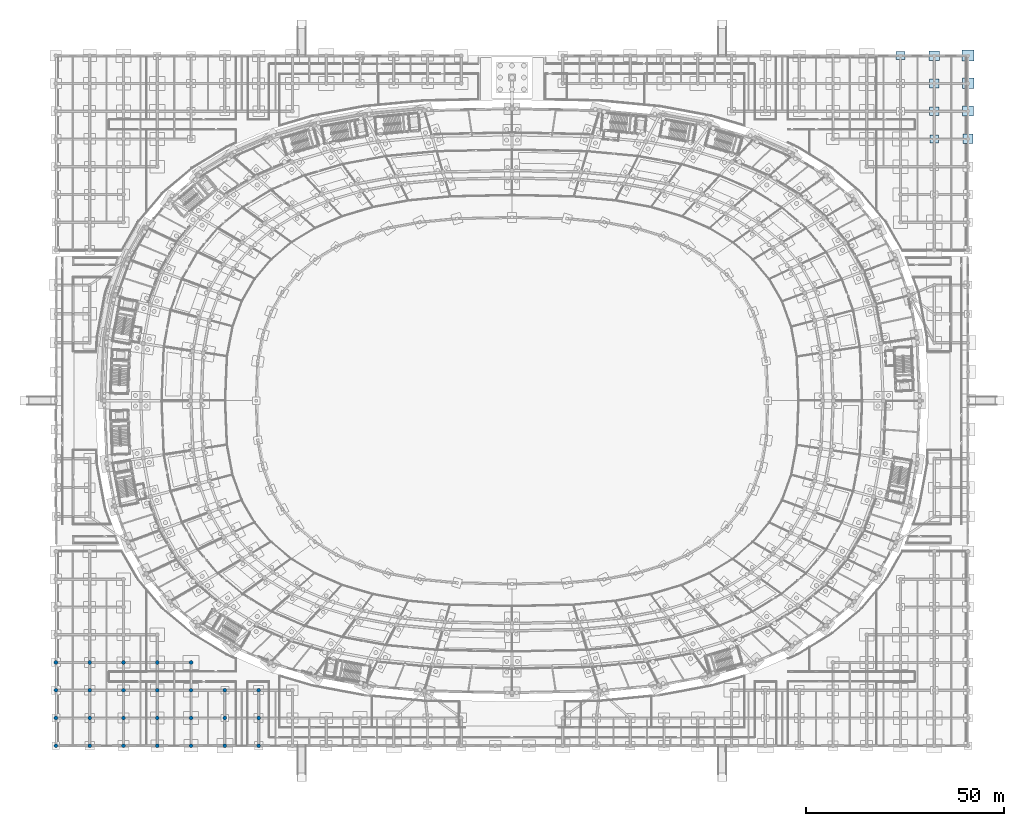
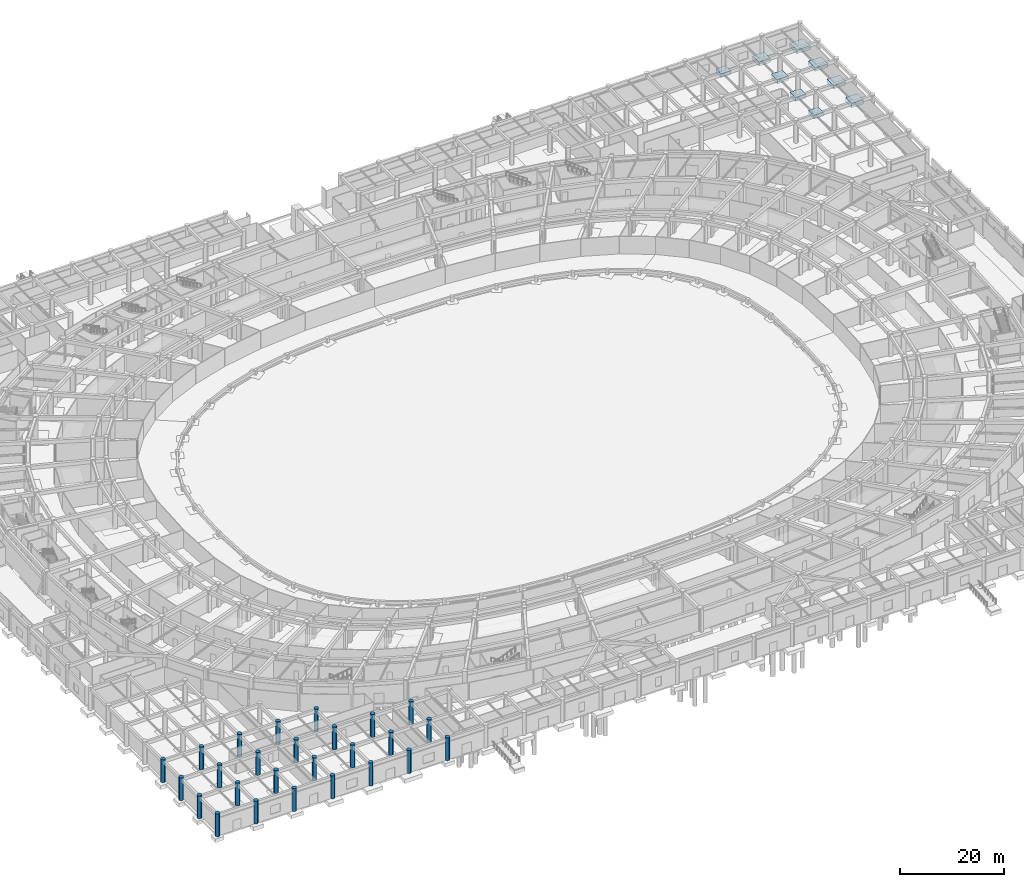
# One storey, part 14 of 88: 26 columns, 9 footings.
"""IFC4 building model written with IfcOpenShell, lengths in metres."""

from ifc_helpers import new_model, si_unit, direction, frame, origin, origin_2d, place, context, subcontext, project, spatial, rectangle, circle, extrude, material, material_profile, profile_set, type_object, element, save


model = new_model("IFC4")

# Units and contexts
model_context = context("Model", 3, precision=1e-05, world=origin(), true_north=direction((0.0, 1.0)))
body_context = subcontext(model_context, "Body", "Model", "MODEL_VIEW")
ifc_project = project(units=[si_unit("LENGTHUNIT", "METRE"), si_unit("AREAUNIT", "SQUARE_METRE"), si_unit("VOLUMEUNIT", "CUBIC_METRE"), si_unit("PLANEANGLEUNIT", "RADIAN"), si_unit("MASSUNIT", "GRAM", prefix="KILO")], contexts=[model_context])

# Site, building, storey
site_placement = place(None, origin())
site = spatial("IfcSite", under=ifc_project, at=site_placement, CompositionType="ELEMENT")
building_placement = place(site_placement, origin())
building = spatial("IfcBuilding", under=site, at=building_placement, Name="Mphavela Belvedere Stadium", CompositionType="ELEMENT")
storey_placement = place(building_placement, origin())
storey = spatial("IfcBuildingStorey", under=building, at=storey_placement, Name="L00", CompositionType="ELEMENT", Elevation=0.0)

# Footings
ifc_material_1 = material(Name="Concrete C35/45", Category="concrete")
footing_type_1 = type_object("IfcFootingType", Name="FTG-PAD-03", PredefinedType="PAD_FOOTING", material=ifc_material_1)
for number, where, z_axis, x_axis, name in (
    (1, (212.962890625, 174.0, -0.8798828125), (0.0, 0.0, 1.0), (1.0, 0.0, 0.0), "North Mast and Ceremonial End Forecourt pad footing 26-8"),
    (2, (221.48095703125, 153.0, -0.8798828125), (0.0, 0.0, 1.0), (1.0, 0.0, 0.0), "North Mast and Ceremonial End Forecourt pad footing 27-5"),
):
    element("IfcFooting", number, at=place(storey_placement, frame(where, z_axis=z_axis, x_axis=x_axis)), inside=storey, type_object=footing_type_1, Name=name, PredefinedType="PAD_FOOTING", context=body_context, shape_type="SweptSolid", body=[
        extrude(rectangle(XDim=2.179931640625, YDim=2.0400390625, at=origin_2d()), origin(), (0.0, 0.0, 1.0), 0.8798828125),
    ])
ifc_material_2 = material(Name="Concrete C35/45", Category="concrete")
footing_type_2 = type_object("IfcFootingType", Name="FTG-PAD-04", PredefinedType="PAD_FOOTING", material=ifc_material_2)
footing_1_placement = place(storey_placement, frame((221.48095703125, 160.0, -0.919921875), z_axis=(0.0, 0.0, 1.0), x_axis=(1.0, 0.0, 0.0)))
element("IfcFooting", 3, at=footing_1_placement, inside=storey, type_object=footing_type_2, Name="North Mast and Ceremonial End Forecourt pad footing 27-6", PredefinedType="PAD_FOOTING", context=body_context, shape_type="SweptSolid", body=[
    extrude(rectangle(XDim=2.320068359375, YDim=2.159912109375, at=origin_2d()), origin(), (0.0, 0.0, 1.0), 0.919921875),
])
ifc_material_3 = material(Name="Concrete C35/45", Category="concrete")
footing_type_3 = type_object("IfcFootingType", Name="FTG-PAD-05", PredefinedType="PAD_FOOTING", material=ifc_material_3)
footing_2_placement = place(storey_placement, frame((221.48095703125, 167.0, -0.9599609375), z_axis=(0.0, 0.0, 1.0), x_axis=(1.0, 0.0, 0.0)))
element("IfcFooting", 4, at=footing_2_placement, inside=storey, type_object=footing_type_3, Name="North Mast and Ceremonial End Forecourt pad footing 27-7", PredefinedType="PAD_FOOTING", context=body_context, shape_type="SweptSolid", body=[
    extrude(rectangle(XDim=2.4599609375, YDim=2.280029296875, at=origin_2d()), origin(), (0.0, 0.0, 1.0), 0.9599609375),
])
ifc_material_4 = material(Name="Concrete C35/45", Category="concrete")
footing_type_4 = type_object("IfcFootingType", Name="FTG-PAD-06", PredefinedType="PAD_FOOTING", material=ifc_material_4)
for number, where, z_axis, x_axis, name in (
    (5, (221.48095703125, 174.0, -1.0), (0.0, 0.0, 1.0), (1.0, 0.0, 0.0), "North Mast and Ceremonial End Forecourt pad footing 27-8"),
    (6, (230.0, 153.0, -1.0), (0.0, 0.0, 1.0), (1.0, 0.0, 0.0), "North Mast and Ceremonial End Forecourt pad footing 28-5"),
):
    element("IfcFooting", number, at=place(storey_placement, frame(where, z_axis=z_axis, x_axis=x_axis)), inside=storey, type_object=footing_type_4, Name=name, PredefinedType="PAD_FOOTING", context=body_context, shape_type="SweptSolid", body=[
        extrude(rectangle(XDim=2.60009765625, YDim=2.39990234375, at=origin_2d()), origin(), (0.0, 0.0, 1.0), 1.0),
    ])
ifc_material_5 = material(Name="Concrete C35/45", Category="concrete")
footing_type_5 = type_object("IfcFootingType", Name="FTG-PAD-07", PredefinedType="PAD_FOOTING", material=ifc_material_5)
footing_3_placement = place(storey_placement, frame((230.0, 160.0, -0.7998046875), z_axis=(0.0, 0.0, 1.0), x_axis=(1.0, 0.0, 0.0)))
element("IfcFooting", 7, at=footing_3_placement, inside=storey, type_object=footing_type_5, Name="North Mast and Ceremonial End Forecourt pad footing 28-6", PredefinedType="PAD_FOOTING", context=body_context, shape_type="SweptSolid", body=[
    extrude(rectangle(XDim=2.739990234375, YDim=2.52001953125, at=origin_2d()), origin(), (0.0, 0.0, 1.0), 0.800048828125),
])
ifc_material_6 = material(Name="Concrete C35/45", Category="concrete")
footing_type_6 = type_object("IfcFootingType", Name="FTG-PAD-08", PredefinedType="PAD_FOOTING", material=ifc_material_6)
footing_4_placement = place(storey_placement, frame((230.0, 167.0, -0.83984375), z_axis=(0.0, 0.0, 1.0), x_axis=(1.0, 0.0, 0.0)))
element("IfcFooting", 8, at=footing_4_placement, inside=storey, type_object=footing_type_6, Name="North Mast and Ceremonial End Forecourt pad footing 28-7", PredefinedType="PAD_FOOTING", context=body_context, shape_type="SweptSolid", body=[
    extrude(rectangle(XDim=2.8798828125, YDim=2.639892578125, at=origin_2d()), origin(), (0.0, 0.0, 1.0), 0.840087890625),
])
ifc_material_7 = material(Name="Concrete C35/45", Category="concrete")
footing_type_7 = type_object("IfcFootingType", Name="FTG-PAD-09", PredefinedType="PAD_FOOTING", material=ifc_material_7)
footing_5_placement = place(storey_placement, frame((230.0, 174.0, -0.8798828125), z_axis=(0.0, 0.0, 1.0), x_axis=(1.0, 0.0, 0.0)))
element("IfcFooting", 9, at=footing_5_placement, inside=storey, type_object=footing_type_7, Name="North Mast and Ceremonial End Forecourt pad footing 28-8", PredefinedType="PAD_FOOTING", context=body_context, shape_type="SweptSolid", body=[
    extrude(rectangle(XDim=3.02001953125, YDim=2.760009765625, at=origin_2d()), origin(), (0.0, 0.0, 1.0), 0.8798828125),
])

# Columns
ifc_material_8 = material(Name="Concrete C40/50", Category="concrete")
ifc_material_profile = material_profile(ifc_material_8, circle(Radius=0.47509765625, at=origin_2d()), Name="COL D950")
ifc_profile_set = profile_set([ifc_material_profile], Name="Concrete C40/50")
column_type = type_object("IfcColumnType", Name="COL-DORIC-950", PredefinedType="COLUMN", material=ifc_profile_set)
for number, where, z_axis, x_axis, name in (
    (10, (0.0, 0.0, 0.0), (0.0, 0.0, 1.0), (1.0, 0.0, 0.0), "South Axial Triumphal Peristyle Portico classical column L00 1-1"),
    (11, (0.0, 7.0, 0.0), (0.0, 0.0, 1.0), (1.0, 0.0, 0.0), "South Axial Triumphal Peristyle Portico classical column L00 1-2"),
    (12, (0.0, 14.0, 0.0), (0.0, 0.0, 1.0), (1.0, 0.0, 0.0), "South Axial Triumphal Peristyle Portico classical column L00 1-3"),
    (13, (0.0, 21.0, 0.0), (0.0, 0.0, 1.0), (1.0, 0.0, 0.0), "South Axial Triumphal Peristyle Portico classical column L00 1-4"),
    (14, (8.51904296875, 0.0, 0.0), (0.0, 0.0, 1.0), (1.0, 0.0, 0.0), "South Axial Triumphal Peristyle Portico classical column L00 2-1"),
    (15, (8.51904296875, 7.0, 0.0), (0.0, 0.0, 1.0), (1.0, 0.0, 0.0), "South Axial Triumphal Peristyle Portico classical column L00 2-2"),
    (16, (8.51904296875, 14.0, 0.0), (0.0, 0.0, 1.0), (1.0, 0.0, 0.0), "South Axial Triumphal Peristyle Portico classical column L00 2-3"),
    (17, (8.51904296875, 21.0, 0.0), (0.0, 0.0, 1.0), (1.0, 0.0, 0.0), "South Axial Triumphal Peristyle Portico classical column L00 2-4"),
    (18, (17.037109375, 0.0, 0.0), (0.0, 0.0, 1.0), (1.0, 0.0, 0.0), "South Axial Triumphal Peristyle Portico classical column L00 3-1"),
    (19, (17.037109375, 7.0, 0.0), (0.0, 0.0, 1.0), (1.0, 0.0, 0.0), "South Axial Triumphal Peristyle Portico classical column L00 3-2"),
    (20, (17.037109375, 14.0, 0.0), (0.0, 0.0, 1.0), (1.0, 0.0, 0.0), "South Axial Triumphal Peristyle Portico classical column L00 3-3"),
    (21, (17.037109375, 21.0, 0.0), (0.0, 0.0, 1.0), (1.0, 0.0, 0.0), "South Axial Triumphal Peristyle Portico classical column L00 3-4"),
    (22, (25.555908203125, 0.0, 0.0), (0.0, 0.0, 1.0), (1.0, 0.0, 0.0), "South Axial Triumphal Peristyle Portico classical column L00 4-1"),
    (23, (25.555908203125, 7.0, 0.0), (0.0, 0.0, 1.0), (1.0, 0.0, 0.0), "South Axial Triumphal Peristyle Portico classical column L00 4-2"),
    (24, (25.555908203125, 14.0, 0.0), (0.0, 0.0, 1.0), (1.0, 0.0, 0.0), "South Axial Triumphal Peristyle Portico classical column L00 4-3"),
    (25, (25.555908203125, 21.0, 0.0), (0.0, 0.0, 1.0), (1.0, 0.0, 0.0), "South Axial Triumphal Peristyle Portico classical column L00 4-4"),
    (26, (34.073974609375, 0.0, 0.0), (0.0, 0.0, 1.0), (1.0, 0.0, 0.0), "South Axial Triumphal Peristyle Portico classical column L00 5-1"),
    (27, (34.073974609375, 7.0, 0.0), (0.0, 0.0, 1.0), (1.0, 0.0, 0.0), "South Axial Triumphal Peristyle Portico classical column L00 5-2"),
    (28, (34.073974609375, 14.0, 0.0), (0.0, 0.0, 1.0), (1.0, 0.0, 0.0), "South Axial Triumphal Peristyle Portico classical column L00 5-3"),
    (29, (34.073974609375, 21.0, 0.0), (0.0, 0.0, 1.0), (1.0, 0.0, 0.0), "South Axial Triumphal Peristyle Portico classical column L00 5-4"),
    (30, (42.593017578125, 0.0, 0.0), (0.0, 0.0, 1.0), (1.0, 0.0, 0.0), "South Axial Triumphal Peristyle Portico classical column L00 6-1"),
    (31, (42.593017578125, 7.0, 0.0), (0.0, 0.0, 1.0), (1.0, 0.0, 0.0), "South Axial Triumphal Peristyle Portico classical column L00 6-2"),
    (32, (42.593017578125, 14.0, 0.0), (0.0, 0.0, 1.0), (1.0, 0.0, 0.0), "South Axial Triumphal Peristyle Portico classical column L00 6-3"),
    (33, (51.111083984375, 0.0, 0.0), (0.0, 0.0, 1.0), (1.0, 0.0, 0.0), "South Axial Triumphal Peristyle Portico classical column L00 7-1"),
    (34, (51.111083984375, 7.0, 0.0), (0.0, 0.0, 1.0), (1.0, 0.0, 0.0), "South Axial Triumphal Peristyle Portico classical column L00 7-2"),
    (35, (51.111083984375, 14.0, 0.0), (0.0, 0.0, 1.0), (1.0, 0.0, 0.0), "South Axial Triumphal Peristyle Portico classical column L00 7-3"),
):
    element("IfcColumn", number, at=place(storey_placement, frame(where, z_axis=z_axis, x_axis=x_axis)), inside=storey, type_object=column_type, Name=name, PredefinedType="COLUMN", context=body_context, shape_type="SweptSolid", body=[
        extrude(circle(Radius=0.47509765625, at=origin_2d()), origin(), (0.0, 0.0, 1.0), 5.39990234375),
    ])

save(model, "model.ifc")
